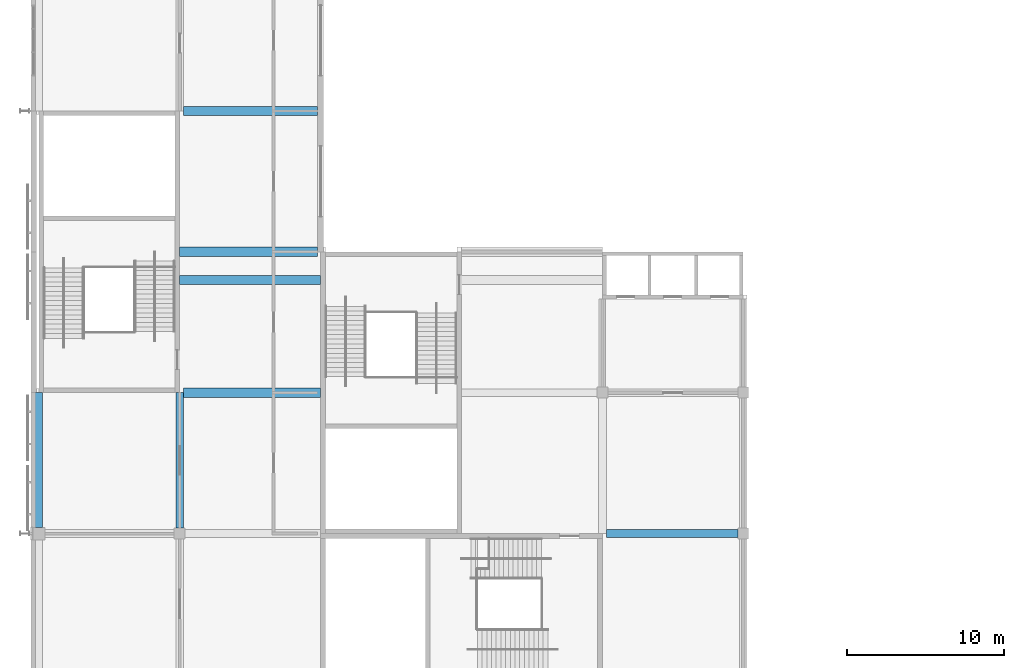
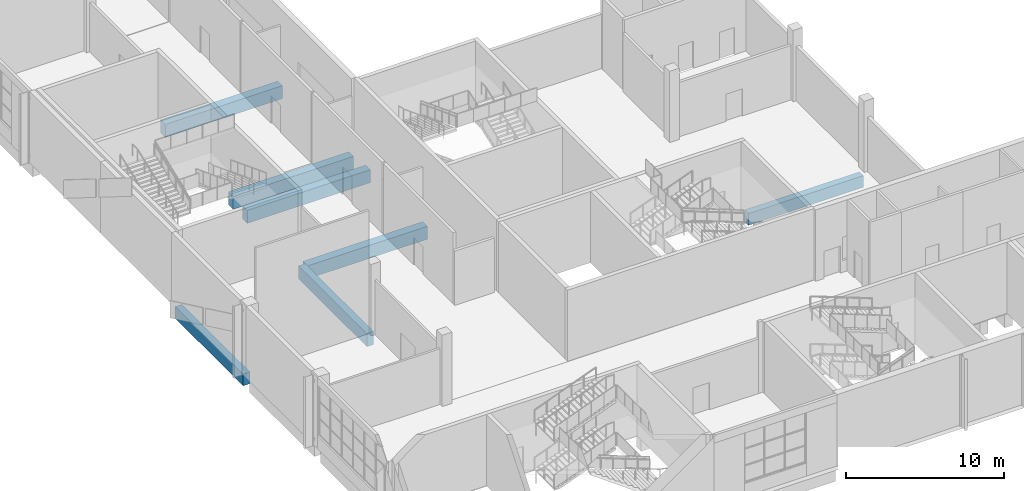
# One storey, part 5 of 84: 7 beams.
"""IFC4 building model written with IfcOpenShell, lengths in metres."""

from ifc_helpers import new_model, si_unit, direction, frame, origin, origin_2d, place, context, subcontext, project, spatial, rectangle, extrude, material, material_profile, profile_set, type_object, element, save


model = new_model("IFC4")

# Units and contexts
model_context = context("Model", 3, precision=1e-05, world=origin(), true_north=direction((0.0, 1.0)))
body_context = subcontext(model_context, "Body", "Model", "MODEL_VIEW")
ifc_project = project(units=[si_unit("LENGTHUNIT", "METRE"), si_unit("AREAUNIT", "SQUARE_METRE"), si_unit("VOLUMEUNIT", "CUBIC_METRE"), si_unit("PLANEANGLEUNIT", "RADIAN"), si_unit("MASSUNIT", "GRAM", prefix="KILO")], contexts=[model_context])

# Site, building, storey
site_placement = place(None, origin())
site = spatial("IfcSite", under=ifc_project, at=site_placement, CompositionType="ELEMENT")
building_placement = place(site_placement, origin())
building = spatial("IfcBuilding", under=site, at=building_placement, Name="Silverbay Arena", CompositionType="ELEMENT")
storey_placement = place(building_placement, frame((0.0, 0.0, 28.0)))
storey = spatial("IfcBuildingStorey", under=building, at=storey_placement, Name="L04", CompositionType="ELEMENT", Elevation=28.0)

# Beams
ifc_material_1 = material(Name="Concrete Grade C45", Category="concrete")
ifc_material_profile_1 = material_profile(ifc_material_1, rectangle(XDim=0.5, YDim=1.0, at=origin_2d()), Name="RC 500x1000")
ifc_profile_set_1 = profile_set([ifc_material_profile_1], Name="Concrete Grade C45")
beam_type_1 = type_object("IfcBeamType", Name="RC beam 500x1000", PredefinedType="BEAM", material=ifc_profile_set_1)
beam_1_placement = place(storey_placement, frame((63.0, 45.35009765625, -0.800048828125), z_axis=(0.0, 1.0, 0.0), x_axis=(-1.0, 0.0, 0.0)))
element("IfcBeam", 1, at=beam_1_placement, inside=storey, type_object=beam_type_1, Name="Floor beam L04 087", PredefinedType="BEAM", context=body_context, shape_type="SweptSolid", body=[
    extrude(rectangle(XDim=0.5, YDim=1.0, at=origin_2d()), origin(), (0.0, 0.0, 1.0), 8.64990234375),
])
ifc_material_2 = material(Name="Concrete Grade C45", Category="concrete")
ifc_material_profile_2 = material_profile(ifc_material_2, rectangle(XDim=0.5, YDim=0.89990234375, at=origin_2d()), Name="RC 500x900")
ifc_profile_set_2 = profile_set([ifc_material_profile_2], Name="Concrete Grade C45")
beam_type_2 = type_object("IfcBeamType", Name="RC beam 500x900", PredefinedType="BEAM", material=ifc_profile_set_2)
beam_2_placement = place(storey_placement, frame((90.25, 45.0, -0.75), z_axis=(1.0, 0.0, 0.0), x_axis=(0.0, 1.0, 0.0)))
element("IfcBeam", 2, at=beam_2_placement, inside=storey, type_object=beam_type_2, Name="Floor beam L04 017", PredefinedType="BEAM", context=body_context, shape_type="SweptSolid", body=[
    extrude(rectangle(XDim=0.5, YDim=0.89990234375, at=origin_2d()), origin(), (0.0, 0.0, 1.0), 8.39990234375),
])
beam_3_placement = place(storey_placement, frame((54.0, 45.39990234375, -0.75), z_axis=(0.0, 1.0, 0.0), x_axis=(-1.0, 0.0, 0.0)))
element("IfcBeam", 3, at=beam_3_placement, inside=storey, type_object=beam_type_2, Name="Floor beam L04 079", PredefinedType="BEAM", context=body_context, shape_type="SweptSolid", body=[
    extrude(rectangle(XDim=0.5, YDim=0.89990234375, at=origin_2d()), origin(), (0.0, 0.0, 1.0), 8.60009765625),
])
ifc_material_3 = material(Name="Concrete Grade C45", Category="concrete")
ifc_material_profile_3 = material_profile(ifc_material_3, rectangle(XDim=0.60009765625, YDim=1.0, at=origin_2d()), Name="RC 600x1000")
ifc_profile_set_3 = profile_set([ifc_material_profile_3], Name="Concrete Grade C45")
beam_type_3 = type_object("IfcBeamType", Name="RC beam 600x1000", PredefinedType="BEAM", material=ifc_profile_set_3)
beam_4_placement = place(storey_placement, frame((63.25, 54.0, -0.800048828125), z_axis=(1.0, 0.0, 0.0), x_axis=(0.0, 1.0, 0.0)))
element("IfcBeam", 4, at=beam_4_placement, inside=storey, type_object=beam_type_3, Name="Floor beam L04 021", PredefinedType="BEAM", context=body_context, shape_type="SweptSolid", body=[
    extrude(rectangle(XDim=0.60009765625, YDim=1.0, at=origin_2d()), origin(), (0.0, 0.0, 1.0), 8.75),
])
beam_5_placement = place(storey_placement, frame((63.0, 61.199951171875, -0.800048828125), z_axis=(1.0, 0.0, 0.0), x_axis=(0.0, 1.0, 0.0)))
element("IfcBeam", 5, at=beam_5_placement, inside=storey, type_object=beam_type_3, Name="Floor beam L04 027", PredefinedType="BEAM", context=body_context, shape_type="SweptSolid", body=[
    extrude(rectangle(XDim=0.60009765625, YDim=1.0, at=origin_2d()), origin(), (0.0, 0.0, 1.0), 9.0),
])
beam_6_placement = place(storey_placement, frame((63.0, 63.0, -0.800048828125), z_axis=(1.0, 0.0, 0.0), x_axis=(0.0, 1.0, 0.0)))
element("IfcBeam", 6, at=beam_6_placement, inside=storey, type_object=beam_type_3, Name="Floor beam L04 031", PredefinedType="BEAM", context=body_context, shape_type="SweptSolid", body=[
    extrude(rectangle(XDim=0.60009765625, YDim=1.0, at=origin_2d()), origin(), (0.0, 0.0, 1.0), 8.800048828125),
])
beam_7_placement = place(storey_placement, frame((63.25, 72.0, -0.800048828125), z_axis=(1.0, 0.0, 0.0), x_axis=(0.0, 1.0, 0.0)))
element("IfcBeam", 7, at=beam_7_placement, inside=storey, type_object=beam_type_3, Name="Floor beam L04 035", PredefinedType="BEAM", context=body_context, shape_type="SweptSolid", body=[
    extrude(rectangle(XDim=0.60009765625, YDim=1.0, at=origin_2d()), origin(), (0.0, 0.0, 1.0), 8.550048828125),
])

save(model, "model.ifc")
